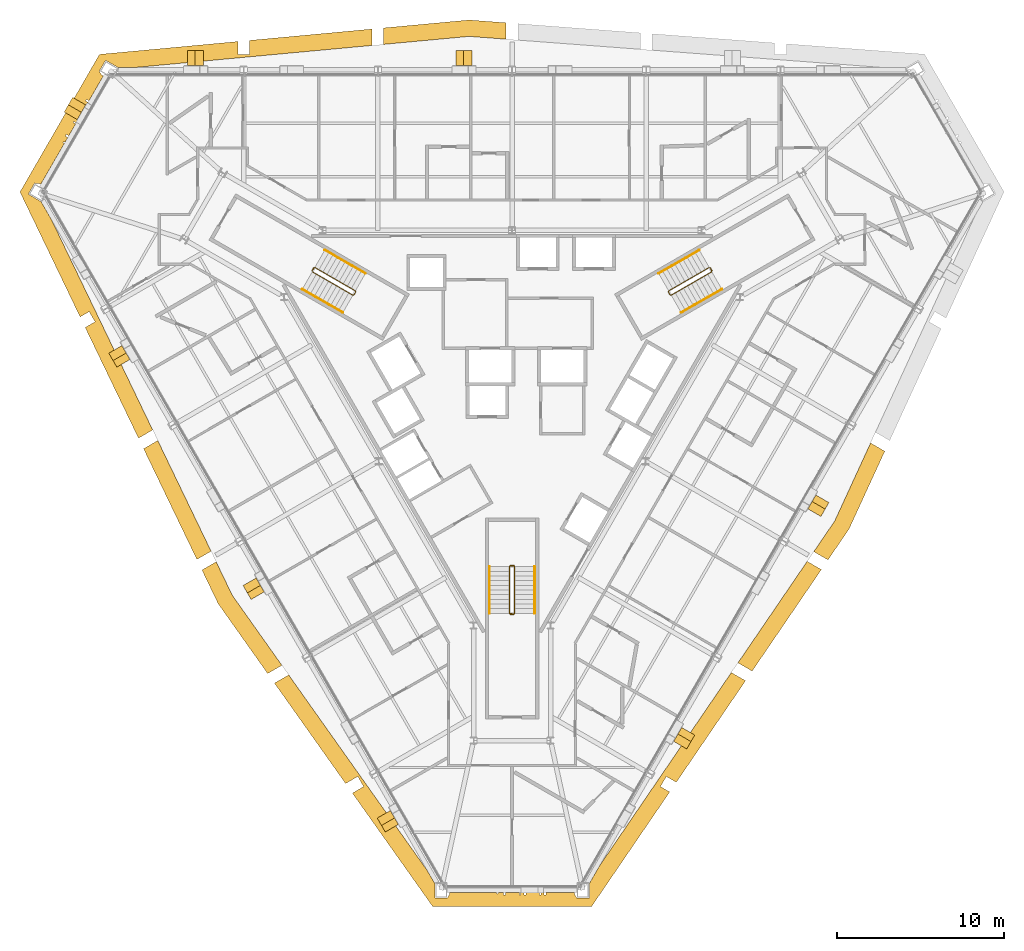
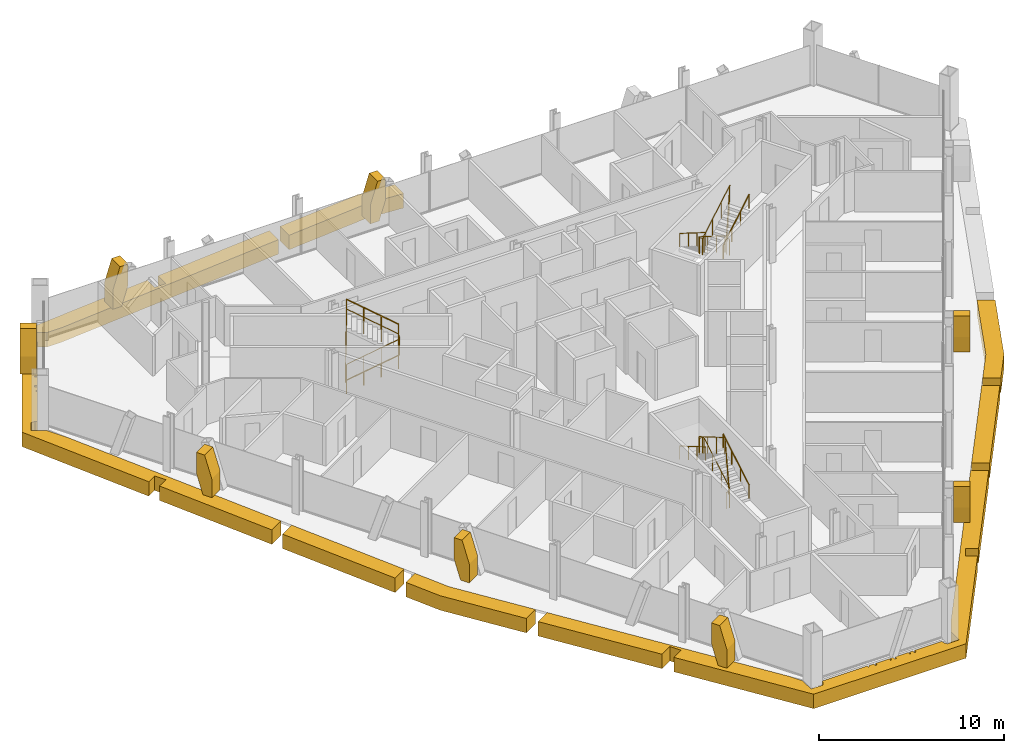
# One storey, part 15 of 16: 15 coverings, 9 railings.
"""IFC4 building model written with IfcOpenShell, lengths in metres."""

import ifcopenshell
import ifcopenshell.guid

model = None  # the IFC model being written
_history = None  # IfcOwnerHistory: only IFC2X3 demands one
_inside = {}  # id of a spatial element -> (the spatial element, [elements in it])
_under = {}  # id of a project, library or spatial element -> (it, [spatial elements below it])
_declared = {}  # id of a project -> (the project, [libraries it declares])
_typed = {}  # id of a type object -> (the type object, [elements of that type])
_made_of = {}  # id of a material, layer set ... -> (it, [elements and type objects made of it])


def new_model(schema):
    """Start an empty IFC model of exactly this schema.

    Asked for "IFC4X3", IfcOpenShell would pick the latest addendum, in which some entities
    have other attributes; the version numbers below select the first issue.
    IFC2X3 requires an IfcOwnerHistory on every rooted entity: one is made here for all.
    """
    global model, _history
    if schema == "IFC4X3":
        model = ifcopenshell.file(schema_version=(4, 3, 0, 0))
    else:
        model = ifcopenshell.file(schema=schema)
    _inside.clear()
    _under.clear()
    _declared.clear()
    _typed.clear()
    _made_of.clear()
    _history = None
    if model.schema == "IFC2X3":
        org = make("IfcOrganization", Name="unknown")
        user = make(
            "IfcPersonAndOrganization",
            ThePerson=make("IfcPerson", FamilyName="unknown"),
            TheOrganization=org,
        )
        app = make(
            "IfcApplication",
            ApplicationDeveloper=org,
            Version="unknown",
            ApplicationFullName="unknown",
            ApplicationIdentifier="unknown",
        )
        _history = make(
            "IfcOwnerHistory",
            OwningUser=user,
            OwningApplication=app,
            ChangeAction="ADDED",
            CreationDate=0,
        )
    return model


def make(cls, **values):
    """One entity of the class cls with the attributes given. An attribute that is None is left unset."""
    return model.create_entity(
        cls, **{name: value for name, value in values.items() if value is not None}
    )


def rooted(cls, **values):
    """An entity with a GlobalId (a new one), such as an element, a storey or a relation."""
    return make(cls, GlobalId=ifcopenshell.guid.new(), OwnerHistory=_history, **values)


def si_unit(unit_type, name, prefix=None):
    """IfcSIUnit, for example si_unit("LENGTHUNIT", "METRE", prefix="MILLI")."""
    return make("IfcSIUnit", UnitType=unit_type, Prefix=prefix, Name=name)


def assignment(units):
    """IfcUnitAssignment: the units of a project."""
    return None if units is None else make("IfcUnitAssignment", Units=units)


def point(xyz):
    """IfcCartesianPoint."""
    return None if xyz is None else make("IfcCartesianPoint", Coordinates=xyz)


def direction(xyz):
    """IfcDirection."""
    return None if xyz is None else make("IfcDirection", DirectionRatios=xyz)


def frame(location, z_axis=None, x_axis=None):
    """IfcAxis2Placement3D, a coordinate frame: its origin and axes. An axis left out is left unset."""
    return make(
        "IfcAxis2Placement3D",
        Location=point(location),
        Axis=direction(z_axis),
        RefDirection=direction(x_axis),
    )


def frame_2d(location, x_axis=None):
    """IfcAxis2Placement2D, a coordinate frame in the plane: its origin and x axis."""
    return make(
        "IfcAxis2Placement2D", Location=point(location), RefDirection=direction(x_axis)
    )


def origin():
    """The frame at (0, 0, 0) with its axes left unset."""
    return frame((0.0, 0.0, 0.0))


def origin_2d():
    """The frame at (0, 0) in the plane with its x axis left unset."""
    return frame_2d((0.0, 0.0))


def place(relative_to, where):
    """IfcLocalPlacement: puts the frame where relative to a parent placement (None: the world)."""
    return make(
        "IfcLocalPlacement", PlacementRelTo=relative_to, RelativePlacement=where
    )


def context(
    kind, dimensions, precision=None, world=None, true_north=None, identifier=None
):
    """IfcGeometricRepresentationContext, for example the 3D "Model" context."""
    return make(
        "IfcGeometricRepresentationContext",
        ContextIdentifier=identifier,
        ContextType=kind,
        CoordinateSpaceDimension=dimensions,
        Precision=precision,
        WorldCoordinateSystem=world,
        TrueNorth=true_north,
    )


def subcontext(parent, identifier, kind, view, scale=None):
    """IfcGeometricRepresentationSubContext, for example "Body" below "Model"."""
    return make(
        "IfcGeometricRepresentationSubContext",
        ContextIdentifier=identifier,
        ContextType=kind,
        ParentContext=parent,
        TargetScale=scale,
        TargetView=view,
    )


def project(units=None, contexts=None):
    """IfcProject with its units and contexts."""
    return rooted(
        "IfcProject",
        Name="project",
        RepresentationContexts=contexts,
        UnitsInContext=assignment(units),
    )


def spatial(cls, under=None, at=None, **own):
    """A site, building, storey or space (cls), placed at a placement, below another one or the project."""
    s = rooted(cls, ObjectPlacement=at, **own)
    if under is not None:
        _under.setdefault(under.id(), (under, []))[1].append(s)
    return s


def polyline(points):
    """IfcPolyline through the points."""
    return make("IfcPolyline", Points=[point(p) for p in points])


def profile(cls, at=None, kind="AREA", **sizes):
    """A parametric profile (cls). Its sizes go by their IFC names, for example OverallWidth=200.0."""
    return make(cls, ProfileType=kind, Position=at, **sizes)


def circle(**sizes):
    """IfcCircleProfileDef."""
    return profile("IfcCircleProfileDef", **sizes)


def outline(outer, holes=None, kind="AREA"):
    """IfcArbitraryClosedProfileDef: a profile drawn as a closed curve; with holes, ...WithVoids."""
    if holes is None:
        return make("IfcArbitraryClosedProfileDef", ProfileType=kind, OuterCurve=outer)
    return make(
        "IfcArbitraryProfileDefWithVoids",
        ProfileType=kind,
        OuterCurve=outer,
        InnerCurves=holes,
    )


def extrude(swept, where, along, depth):
    """IfcExtrudedAreaSolid: the profile swept, set in the frame where, extruded along a direction by depth."""
    return make(
        "IfcExtrudedAreaSolid",
        SweptArea=swept,
        Position=where,
        ExtrudedDirection=direction(along),
        Depth=depth,
    )


def shape(context_of_items, identifier, shape_type, items):
    """IfcShapeRepresentation: the items that make up one representation, for example the "Body"."""
    return make(
        "IfcShapeRepresentation",
        ContextOfItems=context_of_items,
        RepresentationIdentifier=identifier,
        RepresentationType=shape_type,
        Items=items,
    )


def material(Name=None, Category=None):
    """IfcMaterial."""
    return make("IfcMaterial", Name=Name, Category=Category)


def layer(
    of_material, thickness, ventilated=None, Name=None, Category=None, Priority=None
):
    """IfcMaterialLayer: one layer of a wall or slab, of a material (None: an air gap)."""
    return make(
        "IfcMaterialLayer",
        Material=of_material,
        LayerThickness=thickness,
        IsVentilated=ventilated,
        Name=Name,
        Category=Category,
        Priority=Priority,
    )


def layer_set(layers, Name=None):
    """IfcMaterialLayerSet."""
    return make("IfcMaterialLayerSet", MaterialLayers=layers, LayerSetName=Name)


def made_of(thing, what):
    """Note that an element or type object is made of a material, layer set ...; save() writes the relation."""
    if what is not None:
        _made_of.setdefault(what.id(), (what, []))[1].append(thing)
    return thing


def type_object(cls, material=None, **own):
    """A type object (cls), such as IfcWallType, which elements share."""
    return made_of(rooted(cls, **own), material)


def element(
    cls,
    number,
    at=None,
    inside=None,
    cuts=None,
    type_object=None,
    material=None,
    context=None,
    identifier="Body",
    shape_type=None,
    held_by="IfcProductDefinitionShape",
    body=None,
    shapes=None,
    **own,
):
    """One element of the class cls, such as IfcWall. Its Tag is "e" and its number.

    at: its placement. inside: the storey or other place that contains it. cuts: it is an
    opening in that element (IfcRelVoidsElement). A single representation is given by context,
    identifier, shape_type and body (its items); several are given by shapes. held_by: the class
    of the entity that holds the representations. save() writes the other relations.
    """
    e = rooted(cls, Tag="e%d" % number, ObjectPlacement=at, **own)
    if body is not None:
        shapes = [shape(context, identifier, shape_type, body)]
    if shapes is not None:
        e.Representation = make(held_by, Representations=shapes)
    if inside is not None:
        _inside.setdefault(inside.id(), (inside, []))[1].append(e)
    if cuts is not None:
        rooted(
            "IfcRelVoidsElement", RelatingBuildingElement=cuts, RelatedOpeningElement=e
        )
    if type_object is not None:
        _typed.setdefault(type_object.id(), (type_object, []))[1].append(e)
    return made_of(e, material)


def aggregate(whole, parts):
    """IfcRelAggregates: a whole, such as a stair, and the parts it consists of."""
    return rooted("IfcRelAggregates", RelatingObject=whole, RelatedObjects=parts)


def save(model, path):
    """Write the relations noted so far, then the file.

    IfcRelAggregates (storeys below a building ...), IfcRelContainedInSpatialStructure (elements
    in a storey), IfcRelDefinesByType, IfcRelAssociatesMaterial and IfcRelDeclares: one each for
    every whole, place, type object, material and project.
    """
    for whole, parts in _under.values():
        aggregate(whole, parts)
    for where, things in _inside.values():
        rooted(
            "IfcRelContainedInSpatialStructure",
            RelatedElements=things,
            RelatingStructure=where,
        )
    for kind, things in _typed.values():
        rooted("IfcRelDefinesByType", RelatedObjects=things, RelatingType=kind)
    for what, things in _made_of.values():
        rooted("IfcRelAssociatesMaterial", RelatedObjects=things, RelatingMaterial=what)
    for by, libraries in _declared.values():
        rooted("IfcRelDeclares", RelatingContext=by, RelatedDefinitions=libraries)
    model.write(path)


model = new_model("IFC4")

# Units and contexts
model_context = context("Model", 3, precision=1e-05, world=origin(), true_north=direction((0.0, 1.0)))
body_context = subcontext(model_context, "Body", "Model", "MODEL_VIEW")
ifc_project = project(units=[si_unit("LENGTHUNIT", "METRE"), si_unit("AREAUNIT", "SQUARE_METRE"), si_unit("VOLUMEUNIT", "CUBIC_METRE"), si_unit("PLANEANGLEUNIT", "RADIAN"), si_unit("MASSUNIT", "GRAM", prefix="KILO")], contexts=[model_context])

# Site, building, storey
site_placement = place(None, origin())
site = spatial("IfcSite", under=ifc_project, at=site_placement, CompositionType="ELEMENT")
building_placement = place(site_placement, origin())
building = spatial("IfcBuilding", under=site, at=building_placement, Name="Verrane Prism Tower", CompositionType="ELEMENT")
storey_placement = place(building_placement, frame((0.0, 0.0, 107.199951171875)))
storey = spatial("IfcBuildingStorey", under=building, at=storey_placement, Name="L25", CompositionType="ELEMENT", Elevation=107.199951171875)

# Railings
ifc_material_1 = material(Name="Steel A36 rail and posts, no infill", Category="steel")
railing_type_1 = type_object("IfcRailingType", Name="Stair guard 1100 steel rail and posts", PredefinedType="GUARDRAIL", material=ifc_material_1)
railing_1_placement = place(storey_placement, frame((11.78955078125, 6.97998046875, 0.16357421875)))
element("IfcRailing", 1, at=railing_1_placement, inside=storey, type_object=railing_type_1, Name="Stair 1 guard", PredefinedType="GUARDRAIL", context=body_context, shape_type="SweptSolid", body=[
    extrude(circle(Radius=0.02392578125, at=origin_2d()), frame((0.0, 0.0, 1.076171875), z_axis=(-0.747665513933, -0.431721881032, 0.504591415616), x_axis=(0.500049511043, -0.865996816683, 0.0)), (0.0, 0.0, 1.0), 3.2431640625),
    extrude(circle(Radius=0.02392578125, at=origin_2d()), frame((-2.4248046875, -1.400146484375, 2.71240234375), z_axis=(-0.259601060869, -0.965715946433, 0.0), x_axis=(0.965715946433, -0.259601060869, 0.0)), (0.0, 0.0, 1.0), 0.070556640625),
    extrude(circle(Radius=0.02392578125, at=origin_2d()), frame((-2.443115234375, -1.46826171875, 2.71240234375), z_axis=(0.499158860599, -0.866510491504, 0.0), x_axis=(0.866510491504, 0.499158860599, 0.0)), (0.0, 0.0, 1.0), 0.199951171875),
    extrude(circle(Radius=0.02392578125, at=origin_2d()), frame((-2.34326171875, -1.6416015625, 2.71240234375), z_axis=(0.383552647116, -0.102737316192, 0.917786691313), x_axis=(0.258736085224, 0.965948051503, 0.0)), (0.0, 0.0, 1.0), 0.17822265625),
    extrude(circle(Radius=0.02392578125, at=origin_2d()), frame((-2.27490234375, -1.659912109375, 2.8759765625), z_axis=(0.747665513933, 0.431721881032, 0.504591415616), x_axis=(-0.500049511043, 0.865996816683, 0.0)), (0.0, 0.0, 1.0), 3.2431640625),
    extrude(circle(Radius=0.02392578125, at=origin_2d()), frame((0.14990234375, -0.259765625, 4.5126953125), z_axis=(-0.022593669287, 0.066901613547, -0.997503734436), x_axis=(-0.947430582667, -0.3199613899, 0.0)), (0.0, 0.0, 1.0), 3.609130859375),
    extrude(circle(Radius=0.02392578125, at=origin_2d()), frame((0.068359375, -0.018310546875, 0.91259765625), z_axis=(0.499158860599, -0.866510491504, 0.0), x_axis=(0.866510491504, 0.499158860599, 0.0)), (0.0, 0.0, 1.0), 0.199951171875),
    extrude(circle(Radius=0.02099609375, at=origin_2d()), origin(), (0.0, 0.0, 1.0), 1.052001953125),
    extrude(circle(Radius=0.02099609375, at=origin_2d()), frame((-0.808349609375, -0.466796875, 0.54541015625)), (0.0, 0.0, 1.0), 1.052001953125),
    extrude(circle(Radius=0.02099609375, at=origin_2d()), frame((-1.616455078125, -0.933349609375, 1.091064453125)), (0.0, 0.0, 1.0), 1.052001953125),
    extrude(circle(Radius=0.02099609375, at=origin_2d()), frame((-2.4248046875, -1.400146484375, 1.636474609375)), (0.0, 0.0, 1.0), 1.052001953125),
    extrude(circle(Radius=0.02099609375, at=origin_2d()), frame((-2.443115234375, -1.46826171875, 1.636474609375)), (0.0, 0.0, 1.0), 1.052001953125),
    extrude(circle(Radius=0.02099609375, at=origin_2d()), frame((-2.34326171875, -1.6416015625, 1.636474609375)), (0.0, 0.0, 1.0), 1.052001953125),
    extrude(circle(Radius=0.02099609375, at=origin_2d()), frame((-2.27490234375, -1.659912109375, 1.800048828125)), (0.0, 0.0, 1.0), 1.052001953125),
    extrude(circle(Radius=0.02099609375, at=origin_2d()), frame((-1.466552734375, -1.193115234375, 2.345458984375)), (0.0, 0.0, 1.0), 1.052001953125),
    extrude(circle(Radius=0.02099609375, at=origin_2d()), frame((-0.658447265625, -0.7265625, 2.89111328125)), (0.0, 0.0, 1.0), 1.052001953125),
    extrude(circle(Radius=0.02099609375, at=origin_2d()), frame((0.14990234375, -0.259765625, 3.4365234375)), (0.0, 0.0, 1.0), 1.052001953125),
    extrude(circle(Radius=0.02099609375, at=origin_2d()), frame((0.12939453125, -0.199462890625, 2.53662109375)), (0.0, 0.0, 1.0), 1.052001953125),
    extrude(circle(Radius=0.02099609375, at=origin_2d()), frame((0.109130859375, -0.13916015625, 1.636474609375)), (0.0, 0.0, 1.0), 1.052001953125),
    extrude(circle(Radius=0.02099609375, at=origin_2d()), frame((0.0888671875, -0.07861328125, 0.736328125)), (0.0, 0.0, 1.0), 1.052001953125),
    extrude(circle(Radius=0.02099609375, at=origin_2d()), frame((0.068359375, -0.018310546875, -0.16357421875)), (0.0, 0.0, 1.0), 1.052001953125),
    extrude(circle(Radius=0.02099609375, at=origin_2d()), frame((0.168212890625, -0.191650390625, -0.16357421875)), (0.0, 0.0, 1.0), 1.052001953125),
])
railing_2_placement = place(storey_placement, frame((-11.939453125, 6.72021484375, 0.16357421875)))
element("IfcRailing", 2, at=railing_2_placement, inside=storey, type_object=railing_type_1, Name="Stair 2 guard", PredefinedType="GUARDRAIL", context=body_context, shape_type="SweptSolid", body=[
    extrude(circle(Radius=0.02392578125, at=origin_2d()), frame((0.0, 0.0, 1.076171875), z_axis=(0.747665513933, -0.431721881032, 0.504591415616), x_axis=(0.500049511043, 0.865996816683, 0.0)), (0.0, 0.0, 1.0), 3.2431640625),
    extrude(circle(Radius=0.02392578125, at=origin_2d()), frame((2.4248046875, -1.400146484375, 2.71240234375), z_axis=(0.965948051503, 0.258736085224, 0.0), x_axis=(-0.258736085224, 0.965948051503, 0.0)), (0.0, 0.0, 1.0), 0.07080078125),
    extrude(circle(Radius=0.02392578125, at=origin_2d()), frame((2.4931640625, -1.3818359375, 2.71240234375), z_axis=(0.499158860599, 0.866510491504, 0.0), x_axis=(-0.866510491504, 0.499158860599, 0.0)), (0.0, 0.0, 1.0), 0.199951171875),
    extrude(circle(Radius=0.02392578125, at=origin_2d()), frame((2.593017578125, -1.20849609375, 2.71240234375), z_axis=(-0.102791240646, 0.382383415203, 0.918268416436), x_axis=(-0.965715946433, -0.259601060869, 0.0)), (0.0, 0.0, 1.0), 0.17822265625),
    extrude(circle(Radius=0.02392578125, at=origin_2d()), frame((2.57470703125, -1.140380859375, 2.8759765625), z_axis=(-0.747665513933, 0.431721881032, 0.504591415616), x_axis=(-0.500049511043, -0.865996816683, 0.0)), (0.0, 0.0, 1.0), 3.2431640625),
    extrude(circle(Radius=0.02392578125, at=origin_2d()), frame((0.14990234375, 0.259765625, 4.5126953125), z_axis=(-0.046607763296, -0.053101733218, -0.99750083826), x_axis=(0.751567565678, -0.659656118156, 0.0)), (0.0, 0.0, 1.0), 3.609130859375),
    extrude(circle(Radius=0.02392578125, at=origin_2d()), frame((-0.018310546875, 0.068115234375, 0.91259765625), z_axis=(0.499158860599, 0.866510491504, 0.0), x_axis=(-0.866510491504, 0.499158860599, 0.0)), (0.0, 0.0, 1.0), 0.199951171875),
    extrude(circle(Radius=0.02099609375, at=origin_2d()), origin(), (0.0, 0.0, 1.0), 1.052001953125),
    extrude(circle(Radius=0.02099609375, at=origin_2d()), frame((0.808349609375, -0.466796875, 0.54541015625)), (0.0, 0.0, 1.0), 1.052001953125),
    extrude(circle(Radius=0.02099609375, at=origin_2d()), frame((1.616455078125, -0.933349609375, 1.091064453125)), (0.0, 0.0, 1.0), 1.052001953125),
    extrude(circle(Radius=0.02099609375, at=origin_2d()), frame((2.4248046875, -1.400146484375, 1.636474609375)), (0.0, 0.0, 1.0), 1.052001953125),
    extrude(circle(Radius=0.02099609375, at=origin_2d()), frame((2.4931640625, -1.3818359375, 1.636474609375)), (0.0, 0.0, 1.0), 1.052001953125),
    extrude(circle(Radius=0.02099609375, at=origin_2d()), frame((2.593017578125, -1.20849609375, 1.636474609375)), (0.0, 0.0, 1.0), 1.052001953125),
    extrude(circle(Radius=0.02099609375, at=origin_2d()), frame((2.57470703125, -1.140380859375, 1.800048828125)), (0.0, 0.0, 1.0), 1.052001953125),
    extrude(circle(Radius=0.02099609375, at=origin_2d()), frame((1.766357421875, -0.673583984375, 2.345458984375)), (0.0, 0.0, 1.0), 1.052001953125),
    extrude(circle(Radius=0.02099609375, at=origin_2d()), frame((0.958251953125, -0.20703125, 2.89111328125)), (0.0, 0.0, 1.0), 1.052001953125),
    extrude(circle(Radius=0.02099609375, at=origin_2d()), frame((0.14990234375, 0.259765625, 3.4365234375)), (0.0, 0.0, 1.0), 1.052001953125),
    extrude(circle(Radius=0.02099609375, at=origin_2d()), frame((0.10791015625, 0.2119140625, 2.53662109375)), (0.0, 0.0, 1.0), 1.052001953125),
    extrude(circle(Radius=0.02099609375, at=origin_2d()), frame((0.06591796875, 0.1640625, 1.636474609375)), (0.0, 0.0, 1.0), 1.052001953125),
    extrude(circle(Radius=0.02099609375, at=origin_2d()), frame((0.023681640625, 0.115966796875, 0.736328125)), (0.0, 0.0, 1.0), 1.052001953125),
    extrude(circle(Radius=0.02099609375, at=origin_2d()), frame((-0.018310546875, 0.068115234375, -0.16357421875)), (0.0, 0.0, 1.0), 1.052001953125),
    extrude(circle(Radius=0.02099609375, at=origin_2d()), frame((0.08154296875, 0.241455078125, -0.16357421875)), (0.0, 0.0, 1.0), 1.052001953125),
])
railing_3_placement = place(storey_placement, frame((0.14990234375, -13.699951171875, 0.16357421875)))
element("IfcRailing", 3, at=railing_3_placement, inside=storey, type_object=railing_type_1, Name="Stair 3 guard", PredefinedType="GUARDRAIL", context=body_context, shape_type="SweptSolid", body=[
    extrude(circle(Radius=0.02392578125, at=origin_2d()), frame((0.0, 0.0, 1.076171875), z_axis=(0.0, 0.863360870873, 0.504586966384), x_axis=(-1.0, 0.0, 0.0)), (0.0, 0.0, 1.0), 3.2431640625),
    extrude(circle(Radius=0.02392578125, at=origin_2d()), frame((0.0, 2.800048828125, 2.71240234375), z_axis=(-0.707106781187, 0.707106781187, 0.0), x_axis=(-0.707106781187, -0.707106781187, 0.0)), (0.0, 0.0, 1.0), 0.0703125),
    extrude(circle(Radius=0.02392578125, at=origin_2d()), frame((-0.0498046875, 2.849853515625, 2.71240234375), z_axis=(-1.0, 0.0, 0.0), x_axis=(0.0, -1.0, 0.0)), (0.0, 0.0, 1.0), 0.2001953125),
    extrude(circle(Radius=0.02392578125, at=origin_2d()), frame((-0.25, 2.849853515625, 2.71240234375), z_axis=(-0.279653641804, -0.279653641804, 0.918470294159), x_axis=(0.707106781187, -0.707106781187, 0.0)), (0.0, 0.0, 1.0), 0.177978515625),
    extrude(circle(Radius=0.02392578125, at=origin_2d()), frame((-0.2998046875, 2.800048828125, 2.8759765625), z_axis=(0.0, -0.863360870873, 0.504586966384), x_axis=(1.0, 0.0, 0.0)), (0.0, 0.0, 1.0), 3.2431640625),
    extrude(circle(Radius=0.02392578125, at=origin_2d()), frame((-0.2998046875, 0.0, 4.5126953125), z_axis=(0.069269067181, -0.013867342551, -0.997501625634), x_axis=(0.196300278283, 0.98054382908, 0.0)), (0.0, 0.0, 1.0), 3.609130859375),
    extrude(circle(Radius=0.02392578125, at=origin_2d()), frame((-0.0498046875, -0.050048828125, 0.91259765625), z_axis=(-1.0, 0.0, 0.0), x_axis=(0.0, -1.0, 0.0)), (0.0, 0.0, 1.0), 0.2001953125),
    extrude(circle(Radius=0.02099609375, at=origin_2d()), origin(), (0.0, 0.0, 1.0), 1.052001953125),
    extrude(circle(Radius=0.02099609375, at=origin_2d()), frame((0.0, 0.933349609375, 0.54541015625)), (0.0, 0.0, 1.0), 1.052001953125),
    extrude(circle(Radius=0.02099609375, at=origin_2d()), frame((0.0, 1.86669921875, 1.091064453125)), (0.0, 0.0, 1.0), 1.052001953125),
    extrude(circle(Radius=0.02099609375, at=origin_2d()), frame((0.0, 2.800048828125, 1.636474609375)), (0.0, 0.0, 1.0), 1.052001953125),
    extrude(circle(Radius=0.02099609375, at=origin_2d()), frame((-0.0498046875, 2.849853515625, 1.636474609375)), (0.0, 0.0, 1.0), 1.052001953125),
    extrude(circle(Radius=0.02099609375, at=origin_2d()), frame((-0.25, 2.849853515625, 1.636474609375)), (0.0, 0.0, 1.0), 1.052001953125),
    extrude(circle(Radius=0.02099609375, at=origin_2d()), frame((-0.2998046875, 2.800048828125, 1.800048828125)), (0.0, 0.0, 1.0), 1.052001953125),
    extrude(circle(Radius=0.02099609375, at=origin_2d()), frame((-0.2998046875, 1.86669921875, 2.345458984375)), (0.0, 0.0, 1.0), 1.052001953125),
    extrude(circle(Radius=0.02099609375, at=origin_2d()), frame((-0.2998046875, 0.933349609375, 2.89111328125)), (0.0, 0.0, 1.0), 1.052001953125),
    extrude(circle(Radius=0.02099609375, at=origin_2d()), frame((-0.2998046875, 0.0, 3.4365234375)), (0.0, 0.0, 1.0), 1.052001953125),
    extrude(circle(Radius=0.02099609375, at=origin_2d()), frame((-0.2373046875, -0.012451171875, 2.53662109375)), (0.0, 0.0, 1.0), 1.052001953125),
    extrude(circle(Radius=0.02099609375, at=origin_2d()), frame((-0.1748046875, -0.02490234375, 1.636474609375)), (0.0, 0.0, 1.0), 1.052001953125),
    extrude(circle(Radius=0.02099609375, at=origin_2d()), frame((-0.1123046875, -0.03759765625, 0.736328125)), (0.0, 0.0, 1.0), 1.052001953125),
    extrude(circle(Radius=0.02099609375, at=origin_2d()), frame((-0.0498046875, -0.050048828125, -0.16357421875)), (0.0, 0.0, 1.0), 1.052001953125),
    extrude(circle(Radius=0.02099609375, at=origin_2d()), frame((-0.25, -0.050048828125, -0.16357421875)), (0.0, 0.0, 1.0), 1.052001953125),
])
ifc_material_2 = material(Name="Steel A36 tube", Category="steel")
railing_type_2 = type_object("IfcRailingType", Name="Stair handrail 900 steel tube", PredefinedType="HANDRAIL", material=ifc_material_2)
railing_4_placement = place(storey_placement, frame((11.189453125, 8.01904296875, 0.16357421875)))
element("IfcRailing", 4, at=railing_4_placement, inside=storey, type_object=railing_type_2, Name="Stair 1 handrail", PredefinedType="HANDRAIL", context=body_context, shape_type="SweptSolid", body=[
    extrude(circle(Radius=0.02392578125, at=origin_2d()), frame((0.0, 0.0, 0.8759765625), z_axis=(-0.747689811644, -0.431660630283, 0.504607813879), x_axis=(0.49998411664, -0.866034573852, 0.0)), (0.0, 0.0, 1.0), 3.2431640625),
    extrude(circle(Radius=0.02099609375, at=origin_2d()), origin(), (0.0, 0.0, 1.0), 0.851806640625),
    extrude(circle(Radius=0.02099609375, at=origin_2d()), frame((-0.808349609375, -0.466552734375, 0.54541015625)), (0.0, 0.0, 1.0), 0.851806640625),
    extrude(circle(Radius=0.02099609375, at=origin_2d()), frame((-1.616455078125, -0.933349609375, 1.091064453125)), (0.0, 0.0, 1.0), 0.851806640625),
    extrude(circle(Radius=0.02099609375, at=origin_2d()), frame((-2.4248046875, -1.39990234375, 1.636474609375)), (0.0, 0.0, 1.0), 0.851806640625),
])
railing_5_placement = place(storey_placement, frame((10.11474609375, 4.28076171875, 1.963623046875)))
element("IfcRailing", 5, at=railing_5_placement, inside=storey, type_object=railing_type_2, Name="Stair 1 handrail", PredefinedType="HANDRAIL", context=body_context, shape_type="SweptSolid", body=[
    extrude(circle(Radius=0.02392578125, at=origin_2d()), frame((0.0, 0.0, 0.8759765625), z_axis=(0.747665513933, 0.431721881032, 0.504591415616), x_axis=(-0.500049511043, 0.865996816683, 0.0)), (0.0, 0.0, 1.0), 3.2431640625),
    extrude(circle(Radius=0.02099609375, at=origin_2d()), origin(), (0.0, 0.0, 1.0), 0.851806640625),
    extrude(circle(Radius=0.02099609375, at=origin_2d()), frame((0.808349609375, 0.466796875, 0.54541015625)), (0.0, 0.0, 1.0), 0.851806640625),
    extrude(circle(Radius=0.02099609375, at=origin_2d()), frame((1.616455078125, 0.933349609375, 1.091064453125)), (0.0, 0.0, 1.0), 0.851806640625),
    extrude(circle(Radius=0.02099609375, at=origin_2d()), frame((2.4248046875, 1.400146484375, 1.636474609375)), (0.0, 0.0, 1.0), 0.851806640625),
])
railing_6_placement = place(storey_placement, frame((-12.53955078125, 5.680908203125, 0.16357421875)))
element("IfcRailing", 6, at=railing_6_placement, inside=storey, type_object=railing_type_2, Name="Stair 2 handrail", PredefinedType="HANDRAIL", context=body_context, shape_type="SweptSolid", body=[
    extrude(circle(Radius=0.02392578125, at=origin_2d()), frame((0.0, 0.0, 0.8759765625), z_axis=(0.747665513933, -0.431721881032, 0.504591415616), x_axis=(0.500049511043, 0.865996816683, 0.0)), (0.0, 0.0, 1.0), 3.2431640625),
    extrude(circle(Radius=0.02099609375, at=origin_2d()), origin(), (0.0, 0.0, 1.0), 0.851806640625),
    extrude(circle(Radius=0.02099609375, at=origin_2d()), frame((0.808349609375, -0.466796875, 0.54541015625)), (0.0, 0.0, 1.0), 0.851806640625),
    extrude(circle(Radius=0.02099609375, at=origin_2d()), frame((1.616455078125, -0.933349609375, 1.091064453125)), (0.0, 0.0, 1.0), 0.851806640625),
    extrude(circle(Radius=0.02099609375, at=origin_2d()), frame((2.4248046875, -1.400146484375, 1.636474609375)), (0.0, 0.0, 1.0), 0.851806640625),
])
railing_7_placement = place(storey_placement, frame((-8.7646484375, 6.619140625, 1.963623046875)))
element("IfcRailing", 7, at=railing_7_placement, inside=storey, type_object=railing_type_2, Name="Stair 2 handrail", PredefinedType="HANDRAIL", context=body_context, shape_type="SweptSolid", body=[
    extrude(circle(Radius=0.02392578125, at=origin_2d()), frame((0.0, 0.0, 0.8759765625), z_axis=(-0.747689811644, 0.431660630283, 0.504607813879), x_axis=(-0.49998411664, -0.866034573852, 0.0)), (0.0, 0.0, 1.0), 3.2431640625),
    extrude(circle(Radius=0.02099609375, at=origin_2d()), origin(), (0.0, 0.0, 1.0), 0.851806640625),
    extrude(circle(Radius=0.02099609375, at=origin_2d()), frame((-0.808349609375, 0.466552734375, 0.54541015625)), (0.0, 0.0, 1.0), 0.851806640625),
    extrude(circle(Radius=0.02099609375, at=origin_2d()), frame((-1.616455078125, 0.933349609375, 1.091064453125)), (0.0, 0.0, 1.0), 0.851806640625),
    extrude(circle(Radius=0.02099609375, at=origin_2d()), frame((-2.4248046875, 1.39990234375, 1.636474609375)), (0.0, 0.0, 1.0), 0.851806640625),
])
railing_8_placement = place(storey_placement, frame((1.35009765625, -13.699951171875, 0.16357421875)))
element("IfcRailing", 8, at=railing_8_placement, inside=storey, type_object=railing_type_2, Name="Stair 3 handrail", PredefinedType="HANDRAIL", context=body_context, shape_type="SweptSolid", body=[
    extrude(circle(Radius=0.02392578125, at=origin_2d()), frame((0.0, 0.0, 0.8759765625), z_axis=(0.0, 0.863360870873, 0.504586966384), x_axis=(-1.0, 0.0, 0.0)), (0.0, 0.0, 1.0), 3.2431640625),
    extrude(circle(Radius=0.02099609375, at=origin_2d()), origin(), (0.0, 0.0, 1.0), 0.851806640625),
    extrude(circle(Radius=0.02099609375, at=origin_2d()), frame((0.0, 0.933349609375, 0.54541015625)), (0.0, 0.0, 1.0), 0.851806640625),
    extrude(circle(Radius=0.02099609375, at=origin_2d()), frame((0.0, 1.86669921875, 1.091064453125)), (0.0, 0.0, 1.0), 0.851806640625),
    extrude(circle(Radius=0.02099609375, at=origin_2d()), frame((0.0, 2.800048828125, 1.636474609375)), (0.0, 0.0, 1.0), 0.851806640625),
])
railing_9_placement = place(storey_placement, frame((-1.35009765625, -10.89990234375, 1.963623046875)))
element("IfcRailing", 9, at=railing_9_placement, inside=storey, type_object=railing_type_2, Name="Stair 3 handrail", PredefinedType="HANDRAIL", context=body_context, shape_type="SweptSolid", body=[
    extrude(circle(Radius=0.02392578125, at=origin_2d()), frame((0.0, 0.0, 0.8759765625), z_axis=(0.0, -0.863360870873, 0.504586966384), x_axis=(1.0, 0.0, 0.0)), (0.0, 0.0, 1.0), 3.2431640625),
    extrude(circle(Radius=0.02099609375, at=origin_2d()), origin(), (0.0, 0.0, 1.0), 0.851806640625),
    extrude(circle(Radius=0.02099609375, at=origin_2d()), frame((0.0, -0.933349609375, 0.54541015625)), (0.0, 0.0, 1.0), 0.851806640625),
    extrude(circle(Radius=0.02099609375, at=origin_2d()), frame((0.0, -1.86669921875, 1.091064453125)), (0.0, 0.0, 1.0), 0.851806640625),
    extrude(circle(Radius=0.02099609375, at=origin_2d()), frame((0.0, -2.800048828125, 1.636474609375)), (0.0, 0.0, 1.0), 0.851806640625),
])

# Coverings
ifc_material_3 = material(Name="Warm limestone cladding", Category="masonry")
ifc_layer_1 = layer(ifc_material_3, 0.89990234375)
ifc_layer_set_1 = layer_set([ifc_layer_1], Name="Stone brace fin 900")
covering_type_1 = type_object("IfcCoveringType", Name="Stone brace fin 900", PredefinedType="CLADDING", material=ifc_layer_set_1)
covering_1_placement = place(storey_placement, frame((-3.343017578125, 19.493896484375, 0.0), z_axis=(0.0, 0.0, 1.0), x_axis=(1.0, 0.0, 0.0)))
element("IfcCovering", 10, at=covering_1_placement, inside=storey, type_object=covering_type_1, Name="Stone brace fin N4 L25", PredefinedType="CLADDING", context=body_context, shape_type="SweptSolid", body=[
    extrude(outline(polyline([(0.95751953125, 2.650146484375), (0.448486328125, 2.650146484375), (0.0, 1.2412109375), (0.0, 0.0), (0.549560546875, 0.0), (0.95751953125, 1.28173828125), (0.95751953125, 2.650146484375)])), frame((0.0, 0.449951171875, 0.0), z_axis=(0.0, -1.0, 0.0), x_axis=(1.0, 0.0, 0.0)), (0.0, 0.0, 1.0), 0.89990234375),
])
for number, where, z_axis, x_axis, name in (
    (11, (-19.38720703125, 19.493896484375, 0.0), (0.0, 0.0, 1.0), (1.0, 0.0, 0.0), "Stone brace fin N6 L25"),
    (12, (-23.233642578125, 1.25048828125, 0.0), (0.0, 0.0, 1.0), (-0.500795263623, 0.865565771003, 0.0), "Stone brace fin SW2 L25"),
):
    element("IfcCovering", number, at=place(storey_placement, frame(where, z_axis=z_axis, x_axis=x_axis)), inside=storey, type_object=covering_type_1, Name=name, PredefinedType="CLADDING", context=body_context, shape_type="SweptSolid", body=[
        extrude(outline(polyline([(0.95849609375, 2.650146484375), (0.449462890625, 2.650146484375), (0.0, 1.23974609375), (0.0, 0.0), (0.549560546875, 0.0), (0.95849609375, 1.283447265625), (0.95849609375, 2.650146484375)])), frame((0.0, 0.449951171875, 0.0), z_axis=(0.0, -1.0, 0.0), x_axis=(1.0, 0.0, 0.0)), (0.0, 0.0, 1.0), 0.89990234375),
    ])
for number, where, z_axis, x_axis, name in (
    (13, (-15.208251953125, -12.638916015625, 0.0), (0.0, 0.0, 1.0), (-0.499729807177, 0.866181343495, 0.0), "Stone brace fin SW4 L25"),
    (14, (-7.188232421875, -26.538818359375, 0.0), (0.0, 0.0, 1.0), (-0.499729807177, 0.866181343495, 0.0), "Stone brace fin SW6 L25"),
    (15, (10.53125, -20.744873046875, 0.0), (0.0, 0.0, 1.0), (-0.499840134137, -0.866117682712, 0.0), "Stone brace fin SE2 L25"),
):
    element("IfcCovering", number, at=place(storey_placement, frame(where, z_axis=z_axis, x_axis=x_axis)), inside=storey, type_object=covering_type_1, Name=name, PredefinedType="CLADDING", context=body_context, shape_type="SweptSolid", body=[
        extrude(outline(polyline([(0.9580078125, 2.650146484375), (0.44873046875, 2.650146484375), (0.0, 1.240478515625), (0.0, 0.0), (0.549560546875, 0.0), (0.9580078125, 1.282470703125), (0.9580078125, 2.650146484375)])), frame((0.0, 0.449951171875, 0.0), z_axis=(0.0, -1.0, 0.0), x_axis=(1.0, 0.0, 0.0)), (0.0, 0.0, 1.0), 0.89990234375),
    ])
covering_2_placement = place(storey_placement, frame((18.551025390625, -6.849365234375, 0.0), z_axis=(0.0, 0.0, 1.0), x_axis=(-0.500090546768, -0.865973120272, 0.0)))
element("IfcCovering", 16, at=covering_2_placement, inside=storey, type_object=covering_type_1, Name="Stone brace fin SE4 L25", PredefinedType="CLADDING", context=body_context, shape_type="SweptSolid", body=[
    extrude(outline(polyline([(0.956787109375, 2.650146484375), (0.447998046875, 2.650146484375), (0.0, 1.241943359375), (0.0, 0.0), (0.54931640625, 0.0), (0.956787109375, 1.281005859375), (0.956787109375, 2.650146484375)])), frame((0.0, 0.449951171875, 0.0), z_axis=(0.0, -1.0, 0.0), x_axis=(1.0, 0.0, 0.0)), (0.0, 0.0, 1.0), 0.89990234375),
])
covering_3_placement = place(storey_placement, frame((-26.380615234375, 16.045166015625, 0.0), z_axis=(0.0, 0.0, 1.0), x_axis=(0.500245387533, 0.865883682865, 0.0)))
element("IfcCovering", 17, at=covering_3_placement, inside=storey, type_object=covering_type_1, Name="Stone brace fin NW1 L25", PredefinedType="CLADDING", context=body_context, shape_type="SweptSolid", body=[
    extrude(outline(polyline([(1.01025390625, 2.650146484375), (0.4990234375, 2.650146484375), (0.0, 1.16650390625), (0.0, 0.0), (0.55712890625, 0.0), (1.01025390625, 1.346435546875), (1.01025390625, 2.650146484375)])), frame((0.0, 0.449951171875, 0.0), z_axis=(0.0, -1.0, 0.0), x_axis=(1.0, 0.0, 0.0)), (0.0, 0.0, 1.0), 0.89990234375),
])
ifc_material_4 = material(Name="Warm limestone cladding", Category="masonry")
ifc_layer_2 = layer(ifc_material_4, 0.449951171875)
ifc_layer_set_2 = layer_set([ifc_layer_2], Name="Stone spandrel band 450")
covering_type_2 = type_object("IfcCoveringType", Name="Stone spandrel band 450", PredefinedType="CLADDING", material=ifc_layer_set_2)
covering_4_placement = place(storey_placement, frame((0.0, 0.0, -0.949951171875)))
element("IfcCovering", 18, at=covering_4_placement, inside=storey, type_object=covering_type_2, Name="Stone spandrel band L25 part 1", PredefinedType="CLADDING", context=body_context, shape_type="SweptSolid", body=[
    extrude(outline(polyline([(4.755859375, -31.2158203125), (9.423583984375, -24.371826171875), (8.869384765625, -24.0517578125), (9.219482421875, -23.445556640625), (9.819091796875, -23.7919921875), (13.95654296875, -17.725341796875), (13.107177734375, -17.235107421875), (5.242431640625, -28.7666015625), (4.6201171875, -29.844482421875), (4.6201171875, -30.719970703125), (3.860107421875, -30.719970703125), (3.860107421875, -30.697998046875), (3.74609375, -30.503662109375), (3.74609375, -30.37109375), (2.03369140625, -30.37109375), (2.03369140625, -30.5400390625), (1.91748046875, -30.5400390625), (1.91748046875, -30.37109375), (1.716796875, -30.37109375), (1.716796875, -30.5400390625), (1.646728515625, -30.5400390625), (1.646728515625, -30.37109375), (0.822265625, -30.37109375), (0.822265625, -30.5400390625), (0.7060546875, -30.5400390625), (0.7060546875, -30.37109375), (0.50537109375, -30.37109375), (0.50537109375, -30.5400390625), (0.435302734375, -30.5400390625), (0.435302734375, -30.37109375), (-0.38916015625, -30.37109375), (-0.38916015625, -30.5400390625), (-0.50537109375, -30.5400390625), (-0.50537109375, -30.37109375), (-0.7978515625, -30.37109375), (-0.880615234375, -30.47314453125), (-0.940185546875, -30.424560546875), (-0.89697265625, -30.37109375), (-3.74609375, -30.37109375), (-3.74609375, -30.503662109375), (-3.860107421875, -30.697998046875), (-3.860107421875, -30.719970703125), (-4.6201171875, -30.719970703125), (-4.6201171875, -29.844482421875), (-5.0712890625, -29.06298828125), (-13.350830078125, -17.375732421875), (-14.201416015625, -17.866943359375), (-9.950439453125, -23.86767578125), (-9.219482421875, -23.445556640625), (-8.869384765625, -24.0517578125), (-9.5439453125, -24.44140625), (-4.744873046875, -31.2158203125), (4.755859375, -31.2158203125)])), origin(), (0.0, 0.0, 1.0), 0.949951171875),
])
covering_5_placement = place(storey_placement, frame((0.0, 0.0, -0.949951171875)))
element("IfcCovering", 19, at=covering_5_placement, inside=storey, type_object=covering_type_2, Name="Stone spandrel band L25 part 3", PredefinedType="CLADDING", context=body_context, shape_type="SweptSolid", body=[
    extrude(outline(polyline([(-21.4794921875, -2.733642578125), (-27.53369140625, 9.84326171875), (-28.1572265625, 10.923095703125), (-28.915771484375, 11.36083984375), (-28.53564453125, 12.01904296875), (-28.5166015625, 12.008056640625), (-28.291748046875, 12.008056640625), (-28.17529296875, 11.94091796875), (-26.75048828125, 14.40869140625), (-26.81982421875, 14.397705078125), (-26.83203125, 14.473876953125), (-26.700927734375, 14.494873046875), (-26.55517578125, 14.74755859375), (-26.702392578125, 14.83251953125), (-26.644287109375, 14.93310546875), (-26.4970703125, 14.84814453125), (-26.0849609375, 15.561767578125), (-26.232177734375, 15.646728515625), (-26.197265625, 15.70751953125), (-26.050048828125, 15.622314453125), (-25.94970703125, 15.79638671875), (-26.0966796875, 15.88134765625), (-26.03857421875, 15.981689453125), (-25.8916015625, 15.896728515625), (-25.4794921875, 16.610595703125), (-25.62646484375, 16.6953125), (-25.59130859375, 16.756103515625), (-25.444580078125, 16.671142578125), (-25.343994140625, 16.844970703125), (-25.490966796875, 16.929931640625), (-25.432861328125, 17.030517578125), (-25.2861328125, 16.945556640625), (-24.42919921875, 18.4296875), (-24.542724609375, 18.495361328125), (-24.65673828125, 18.68994140625), (-24.67578125, 18.700927734375), (-24.295654296875, 19.359130859375), (-23.541015625, 18.92333984375), (-22.6337890625, 18.92333984375), (-8.372314453125, 20.25), (-8.372314453125, 21.232421875), (-15.69482421875, 20.55126953125), (-15.69482421875, 19.7099609375), (-16.394775390625, 19.7099609375), (-16.394775390625, 20.486083984375), (-24.661376953125, 19.717041015625), (-29.41162109375, 11.4892578125), (-25.818359375, 4.02490234375), (-25.274658203125, 4.338623046875), (-24.9248046875, 3.732421875), (-25.513916015625, 3.392333984375), (-22.328857421875, -3.22412109375), (-21.4794921875, -2.733642578125)])), origin(), (0.0, 0.0, 1.0), 0.949951171875),
])
covering_6_placement = place(storey_placement, frame((0.0, 0.0, -0.949951171875)))
element("IfcCovering", 20, at=covering_6_placement, inside=storey, type_object=covering_type_2, Name="Stone spandrel band L25 part 4", PredefinedType="CLADDING", context=body_context, shape_type="SweptSolid", body=[
    extrude(outline(polyline([(-18.83935546875, -10.472900390625), (-17.989990234375, -9.982421875), (-21.175048828125, -3.3662109375), (-22.0244140625, -3.8564453125), (-18.83935546875, -10.472900390625)])), origin(), (0.0, 0.0, 1.0), 0.949951171875),
])
covering_7_placement = place(storey_placement, frame((0.0, 0.0, -0.949951171875)))
element("IfcCovering", 21, at=covering_7_placement, inside=storey, type_object=covering_type_2, Name="Stone spandrel band L25 part 5", PredefinedType="CLADDING", context=body_context, shape_type="SweptSolid", body=[
    extrude(outline(polyline([(-14.60791015625, -17.293212890625), (-13.757080078125, -16.802001953125), (-16.72119140625, -12.6181640625), (-17.685546875, -10.614990234375), (-18.534912109375, -11.105224609375), (-17.566650390625, -13.116455078125), (-14.60791015625, -17.293212890625)])), origin(), (0.0, 0.0, 1.0), 0.949951171875),
])
covering_8_placement = place(storey_placement, frame((0.0, 0.0, -0.949951171875)))
element("IfcCovering", 22, at=covering_8_placement, inside=storey, type_object=covering_type_2, Name="Stone spandrel band L25 part 6", PredefinedType="CLADDING", context=body_context, shape_type="SweptSolid", body=[
    extrude(outline(polyline([(17.639892578125, -10.588623046875), (13.502685546875, -16.655029296875), (14.35205078125, -17.1455078125), (18.489501953125, -11.0791015625), (17.639892578125, -10.588623046875)])), origin(), (0.0, 0.0, 1.0), 0.949951171875),
])
covering_9_placement = place(storey_placement, frame((0.0, 0.0, -0.949951171875)))
element("IfcCovering", 23, at=covering_9_placement, inside=storey, type_object=covering_type_2, Name="Stone spandrel band L25 part 7", PredefinedType="CLADDING", context=body_context, shape_type="SweptSolid", body=[
    extrude(outline(polyline([(22.2802734375, -4.004150390625), (21.4296875, -3.51318359375), (19.288330078125, -8.171875), (18.035400390625, -10.0087890625), (18.885009765625, -10.4990234375), (20.142578125, -8.655029296875), (22.2802734375, -4.004150390625)])), origin(), (0.0, 0.0, 1.0), 0.949951171875),
])
covering_10_placement = place(storey_placement, frame((0.0, 0.0, -0.949951171875)))
element("IfcCovering", 24, at=covering_10_placement, inside=storey, type_object=covering_type_2, Name="Stone spandrel band L25 part 9", PredefinedType="CLADDING", context=body_context, shape_type="SweptSolid", body=[
    extrude(outline(polyline([(-7.67236328125, 20.315185546875), (-2.567138671875, 20.7900390625), (-0.35009765625, 20.62353515625), (-0.35009765625, 21.6044921875), (-2.575927734375, 21.771484375), (-7.67236328125, 21.29736328125), (-7.67236328125, 20.315185546875)])), origin(), (0.0, 0.0, 1.0), 0.949951171875),
])

save(model, "model.ifc")
